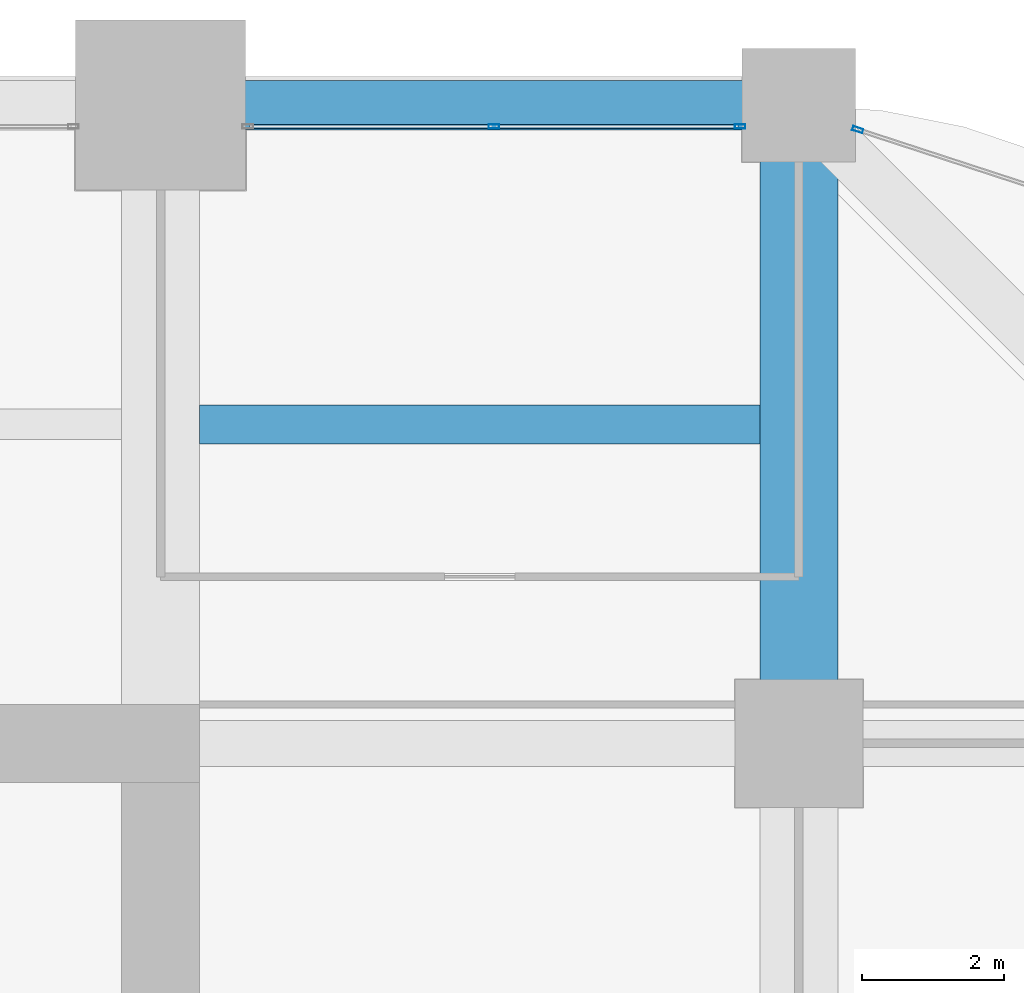
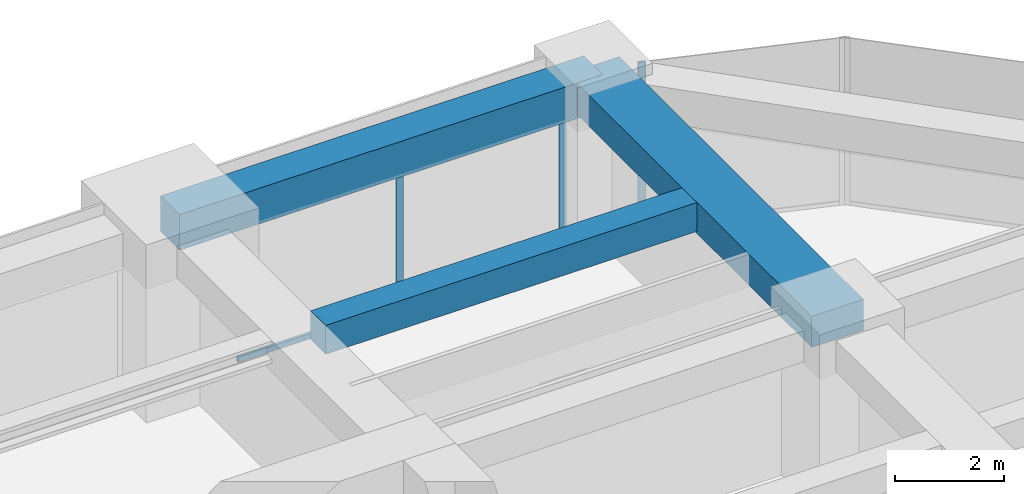
# One storey, part 33 of 40: 4 members, 3 beams, 2 elements without a shape of their own.
"""IFC4 building model written with IfcOpenShell, lengths in metres."""

import ifcopenshell
import ifcopenshell.guid

model = None  # the IFC model being written
_history = None  # IfcOwnerHistory: only IFC2X3 demands one
_inside = {}  # id of a spatial element -> (the spatial element, [elements in it])
_under = {}  # id of a project, library or spatial element -> (it, [spatial elements below it])
_declared = {}  # id of a project -> (the project, [libraries it declares])
_typed = {}  # id of a type object -> (the type object, [elements of that type])
_made_of = {}  # id of a material, layer set ... -> (it, [elements and type objects made of it])


def new_model(schema):
    """Start an empty IFC model of exactly this schema.

    Asked for "IFC4X3", IfcOpenShell would pick the latest addendum, in which some entities
    have other attributes; the version numbers below select the first issue.
    IFC2X3 requires an IfcOwnerHistory on every rooted entity: one is made here for all.
    """
    global model, _history
    if schema == "IFC4X3":
        model = ifcopenshell.file(schema_version=(4, 3, 0, 0))
    else:
        model = ifcopenshell.file(schema=schema)
    _inside.clear()
    _under.clear()
    _declared.clear()
    _typed.clear()
    _made_of.clear()
    _history = None
    if model.schema == "IFC2X3":
        org = make("IfcOrganization", Name="unknown")
        user = make(
            "IfcPersonAndOrganization",
            ThePerson=make("IfcPerson", FamilyName="unknown"),
            TheOrganization=org,
        )
        app = make(
            "IfcApplication",
            ApplicationDeveloper=org,
            Version="unknown",
            ApplicationFullName="unknown",
            ApplicationIdentifier="unknown",
        )
        _history = make(
            "IfcOwnerHistory",
            OwningUser=user,
            OwningApplication=app,
            ChangeAction="ADDED",
            CreationDate=0,
        )
    return model


def make(cls, **values):
    """One entity of the class cls with the attributes given. An attribute that is None is left unset."""
    return model.create_entity(
        cls, **{name: value for name, value in values.items() if value is not None}
    )


def rooted(cls, **values):
    """An entity with a GlobalId (a new one), such as an element, a storey or a relation."""
    return make(cls, GlobalId=ifcopenshell.guid.new(), OwnerHistory=_history, **values)


def si_unit(unit_type, name, prefix=None):
    """IfcSIUnit, for example si_unit("LENGTHUNIT", "METRE", prefix="MILLI")."""
    return make("IfcSIUnit", UnitType=unit_type, Prefix=prefix, Name=name)


def assignment(units):
    """IfcUnitAssignment: the units of a project."""
    return None if units is None else make("IfcUnitAssignment", Units=units)


def point(xyz):
    """IfcCartesianPoint."""
    return None if xyz is None else make("IfcCartesianPoint", Coordinates=xyz)


def direction(xyz):
    """IfcDirection."""
    return None if xyz is None else make("IfcDirection", DirectionRatios=xyz)


def frame(location, z_axis=None, x_axis=None):
    """IfcAxis2Placement3D, a coordinate frame: its origin and axes. An axis left out is left unset."""
    return make(
        "IfcAxis2Placement3D",
        Location=point(location),
        Axis=direction(z_axis),
        RefDirection=direction(x_axis),
    )


def frame_2d(location, x_axis=None):
    """IfcAxis2Placement2D, a coordinate frame in the plane: its origin and x axis."""
    return make(
        "IfcAxis2Placement2D", Location=point(location), RefDirection=direction(x_axis)
    )


def origin():
    """The frame at (0, 0, 0) with its axes left unset."""
    return frame((0.0, 0.0, 0.0))


def origin_2d():
    """The frame at (0, 0) in the plane with its x axis left unset."""
    return frame_2d((0.0, 0.0))


def place(relative_to, where):
    """IfcLocalPlacement: puts the frame where relative to a parent placement (None: the world)."""
    return make(
        "IfcLocalPlacement", PlacementRelTo=relative_to, RelativePlacement=where
    )


def context(
    kind, dimensions, precision=None, world=None, true_north=None, identifier=None
):
    """IfcGeometricRepresentationContext, for example the 3D "Model" context."""
    return make(
        "IfcGeometricRepresentationContext",
        ContextIdentifier=identifier,
        ContextType=kind,
        CoordinateSpaceDimension=dimensions,
        Precision=precision,
        WorldCoordinateSystem=world,
        TrueNorth=true_north,
    )


def subcontext(parent, identifier, kind, view, scale=None):
    """IfcGeometricRepresentationSubContext, for example "Body" below "Model"."""
    return make(
        "IfcGeometricRepresentationSubContext",
        ContextIdentifier=identifier,
        ContextType=kind,
        ParentContext=parent,
        TargetScale=scale,
        TargetView=view,
    )


def project(units=None, contexts=None):
    """IfcProject with its units and contexts."""
    return rooted(
        "IfcProject",
        Name="project",
        RepresentationContexts=contexts,
        UnitsInContext=assignment(units),
    )


def spatial(cls, under=None, at=None, **own):
    """A site, building, storey or space (cls), placed at a placement, below another one or the project."""
    s = rooted(cls, ObjectPlacement=at, **own)
    if under is not None:
        _under.setdefault(under.id(), (under, []))[1].append(s)
    return s


def profile(cls, at=None, kind="AREA", **sizes):
    """A parametric profile (cls). Its sizes go by their IFC names, for example OverallWidth=200.0."""
    return make(cls, ProfileType=kind, Position=at, **sizes)


def rectangle(**sizes):
    """IfcRectangleProfileDef."""
    return profile("IfcRectangleProfileDef", **sizes)


def hollow_rectangle(**sizes):
    """IfcRectangleHollowProfileDef."""
    return profile("IfcRectangleHollowProfileDef", **sizes)


def extrude(swept, where, along, depth):
    """IfcExtrudedAreaSolid: the profile swept, set in the frame where, extruded along a direction by depth."""
    return make(
        "IfcExtrudedAreaSolid",
        SweptArea=swept,
        Position=where,
        ExtrudedDirection=direction(along),
        Depth=depth,
    )


def shape(context_of_items, identifier, shape_type, items):
    """IfcShapeRepresentation: the items that make up one representation, for example the "Body"."""
    return make(
        "IfcShapeRepresentation",
        ContextOfItems=context_of_items,
        RepresentationIdentifier=identifier,
        RepresentationType=shape_type,
        Items=items,
    )


def material(Name=None, Category=None):
    """IfcMaterial."""
    return make("IfcMaterial", Name=Name, Category=Category)


def material_profile(
    of_material, cross_section, Name=None, Category=None, Priority=None
):
    """IfcMaterialProfile: a cross section and its material."""
    return make(
        "IfcMaterialProfile",
        Name=Name,
        Material=of_material,
        Profile=cross_section,
        Priority=Priority,
        Category=Category,
    )


def profile_set(profiles, Name=None, composite=None):
    """IfcMaterialProfileSet."""
    return make(
        "IfcMaterialProfileSet",
        Name=Name,
        MaterialProfiles=profiles,
        CompositeProfile=composite,
    )


def made_of(thing, what):
    """Note that an element or type object is made of a material, layer set ...; save() writes the relation."""
    if what is not None:
        _made_of.setdefault(what.id(), (what, []))[1].append(thing)
    return thing


def type_object(cls, material=None, **own):
    """A type object (cls), such as IfcWallType, which elements share."""
    return made_of(rooted(cls, **own), material)


def element(
    cls,
    number,
    at=None,
    inside=None,
    cuts=None,
    type_object=None,
    material=None,
    context=None,
    identifier="Body",
    shape_type=None,
    held_by="IfcProductDefinitionShape",
    body=None,
    shapes=None,
    **own,
):
    """One element of the class cls, such as IfcWall. Its Tag is "e" and its number.

    at: its placement. inside: the storey or other place that contains it. cuts: it is an
    opening in that element (IfcRelVoidsElement). A single representation is given by context,
    identifier, shape_type and body (its items); several are given by shapes. held_by: the class
    of the entity that holds the representations. save() writes the other relations.
    """
    e = rooted(cls, Tag="e%d" % number, ObjectPlacement=at, **own)
    if body is not None:
        shapes = [shape(context, identifier, shape_type, body)]
    if shapes is not None:
        e.Representation = make(held_by, Representations=shapes)
    if inside is not None:
        _inside.setdefault(inside.id(), (inside, []))[1].append(e)
    if cuts is not None:
        rooted(
            "IfcRelVoidsElement", RelatingBuildingElement=cuts, RelatedOpeningElement=e
        )
    if type_object is not None:
        _typed.setdefault(type_object.id(), (type_object, []))[1].append(e)
    return made_of(e, material)


def aggregate(whole, parts):
    """IfcRelAggregates: a whole, such as a stair, and the parts it consists of."""
    return rooted("IfcRelAggregates", RelatingObject=whole, RelatedObjects=parts)


def save(model, path):
    """Write the relations noted so far, then the file.

    IfcRelAggregates (storeys below a building ...), IfcRelContainedInSpatialStructure (elements
    in a storey), IfcRelDefinesByType, IfcRelAssociatesMaterial and IfcRelDeclares: one each for
    every whole, place, type object, material and project.
    """
    for whole, parts in _under.values():
        aggregate(whole, parts)
    for where, things in _inside.values():
        rooted(
            "IfcRelContainedInSpatialStructure",
            RelatedElements=things,
            RelatingStructure=where,
        )
    for kind, things in _typed.values():
        rooted("IfcRelDefinesByType", RelatedObjects=things, RelatingType=kind)
    for what, things in _made_of.values():
        rooted("IfcRelAssociatesMaterial", RelatedObjects=things, RelatingMaterial=what)
    for by, libraries in _declared.values():
        rooted("IfcRelDeclares", RelatingContext=by, RelatedDefinitions=libraries)
    model.write(path)


model = new_model("IFC4")

# Units and contexts
model_context = context("Model", 3, precision=1e-05, world=origin(), true_north=direction((0.0, 1.0)))
body_context = subcontext(model_context, "Body", "Model", "MODEL_VIEW")
ifc_project = project(units=[si_unit("LENGTHUNIT", "METRE"), si_unit("AREAUNIT", "SQUARE_METRE"), si_unit("VOLUMEUNIT", "CUBIC_METRE"), si_unit("PLANEANGLEUNIT", "RADIAN"), si_unit("MASSUNIT", "GRAM", prefix="KILO")], contexts=[model_context])

# Site, building, storey
site_placement = place(None, origin())
site = spatial("IfcSite", under=ifc_project, at=site_placement, CompositionType="ELEMENT")
building_placement = place(site_placement, origin())
building = spatial("IfcBuilding", under=site, at=building_placement, Name="Zorevar Civic Tower", CompositionType="ELEMENT")
storey_placement = place(building_placement, frame((0.0, 0.0, 129.0)))
storey = spatial("IfcBuildingStorey", under=building, at=storey_placement, Name="L31", CompositionType="ELEMENT", Elevation=129.0)

# Beams
ifc_material_1 = material(Name="Concrete C50/60", Category="concrete")
ifc_material_profile_1 = material_profile(ifc_material_1, rectangle(XDim=1.10009765625, YDim=0.699951171875, at=origin_2d()), Name="RC 1100x700")
ifc_profile_set_1 = profile_set([ifc_material_profile_1], Name="Concrete C50/60")
beam_type_1 = type_object("IfcBeamType", Name="Beam RC 1100x700", PredefinedType="BEAM", material=ifc_profile_set_1)
beam_1_placement = place(storey_placement, frame((54.0, 36.0, 3.39990234375), z_axis=(0.0, 1.0, 0.0), x_axis=(-1.0, 0.0, 0.0)))
element("IfcBeam", 1, at=beam_1_placement, inside=storey, type_object=beam_type_1, Name="Girder L32", PredefinedType="BEAM", context=body_context, shape_type="SweptSolid", body=[
    extrude(rectangle(XDim=1.10009765625, YDim=0.699951171875, at=origin_2d()), origin(), (0.0, 0.0, 1.0), 9.0),
])
ifc_material_2 = material(Name="Concrete C50/60", Category="concrete")
ifc_material_profile_2 = material_profile(ifc_material_2, rectangle(XDim=0.550048828125, YDim=0.64990234375, at=origin_2d()), Name="RC 550x650")
ifc_profile_set_2 = profile_set([ifc_material_profile_2], Name="Concrete C50/60")
beam_type_2 = type_object("IfcBeamType", Name="Beam RC 550x650", PredefinedType="BEAM", material=ifc_profile_set_2)
beam_2_placement = place(storey_placement, frame((45.550048828125, 40.5, 3.425048828125), z_axis=(1.0, 0.0, 0.0), x_axis=(0.0, 1.0, 0.0)))
element("IfcBeam", 2, at=beam_2_placement, inside=storey, type_object=beam_type_2, Name="Secondary beam L32", PredefinedType="BEAM", context=body_context, shape_type="SweptSolid", body=[
    extrude(rectangle(XDim=0.550048828125, YDim=0.64990234375, at=origin_2d()), origin(), (0.0, 0.0, 1.0), 7.89990234375),
])

# Curtain wall, members
ifc_material_3 = material(Name="Dark grey solar-control glass in black aluminium frame", Category="aluminium")
curtain_wall_type = type_object("IfcCurtainWallType", Name="Curtain wall CW3 mid zone", PredefinedType="NOTDEFINED", material=ifc_material_3)
curtain_wall_1_placement = place(storey_placement, origin())
curtain_wall_1 = element("IfcCurtainWall", 3, at=curtain_wall_1_placement, inside=storey, type_object=curtain_wall_type, Name="CW3 L31", PredefinedType="NOTDEFINED")
ifc_material_4 = material(Name="Aluminium, black anodised", Category="aluminium")
ifc_material_profile_3 = material_profile(ifc_material_4, hollow_rectangle(XDim=0.06005859375, YDim=0.14990234375, WallThickness=0.00390625, at=origin_2d()), Name="AL 150x60x4")
ifc_profile_set_3 = profile_set([ifc_material_profile_3], Name="Aluminium, black anodised")
member_type_1 = type_object("IfcMemberType", Name="CW3 mullion AL 150x60x4", PredefinedType="MULLION", material=ifc_profile_set_3)
member_1_placement = place(storey_placement, frame((49.699951171875, 44.699951171875, 0.06005859375), z_axis=(0.0, 0.0, 1.0), x_axis=(0.0, 1.0, 0.0)))
member_1 = element("IfcMember", 4, at=member_1_placement, type_object=member_type_1, Name="CW3 mullion 2", PredefinedType="MULLION", context=body_context, shape_type="SweptSolid", body=[
    extrude(hollow_rectangle(XDim=0.06005859375, YDim=0.14990234375, WallThickness=0.00390625, at=origin_2d()), origin(), (0.0, 0.0, 1.0), 2.889892578125),
])
member_2_placement = place(storey_placement, frame((53.169921875, 44.699951171875, 0.0), z_axis=(0.0, 0.0, 1.0), x_axis=(0.0, 1.0, 0.0)))
member_2 = element("IfcMember", 5, at=member_2_placement, type_object=member_type_1, Name="CW3 mullion 3", PredefinedType="MULLION", context=body_context, shape_type="SweptSolid", body=[
    extrude(hollow_rectangle(XDim=0.06005859375, YDim=0.14990234375, WallThickness=0.00390625, at=origin_2d()), origin(), (0.0, 0.0, 1.0), 2.949951171875),
])

# Curtain wall, member
curtain_wall_2_placement = place(storey_placement, origin())
curtain_wall_2 = element("IfcCurtainWall", 6, at=curtain_wall_2_placement, inside=storey, type_object=curtain_wall_type, Name="CW3 L31", PredefinedType="NOTDEFINED")
member_3_placement = place(storey_placement, frame((54.82861328125, 44.65380859375, 0.0), z_axis=(0.0, 0.0, 1.0), x_axis=(-0.310263169163, -0.950650706548, 0.0)))
member_3 = element("IfcMember", 7, at=member_3_placement, type_object=member_type_1, Name="CW3 mullion 2", PredefinedType="MULLION", context=body_context, shape_type="SweptSolid", body=[
    extrude(hollow_rectangle(XDim=0.06005859375, YDim=0.14990234375, WallThickness=0.00390625, at=origin_2d()), origin(), (0.0, 0.0, 1.0), 3.75),
])
aggregate(curtain_wall_2, [member_3])

# Member
ifc_material_5 = material(Name="Aluminium, black anodised", Category="aluminium")
ifc_material_profile_4 = material_profile(ifc_material_5, hollow_rectangle(XDim=0.06005859375, YDim=0.1201171875, WallThickness=0.0029296875, at=origin_2d()), Name="AL 120x60x3")
ifc_profile_set_4 = profile_set([ifc_material_profile_4], Name="Aluminium, black anodised")
member_type_2 = type_object("IfcMemberType", Name="CW3 transom AL 120x60x3", PredefinedType="USERDEFINED", material=ifc_profile_set_4)
member_4_placement = place(storey_placement, frame((46.260009765625, 44.699951171875, 0.030029296875), z_axis=(1.0, 0.0, 0.0), x_axis=(0.0, 1.0, 0.0)))
member_4 = element("IfcMember", 8, at=member_4_placement, type_object=member_type_2, Name="CW3 sill transom", ObjectType="TRANSOM", PredefinedType="USERDEFINED", context=body_context, shape_type="SweptSolid", body=[
    extrude(hollow_rectangle(XDim=0.06005859375, YDim=0.1201171875, WallThickness=0.0029296875, at=origin_2d()), origin(), (0.0, 0.0, 1.0), 6.8798828125),
])

aggregate(curtain_wall_1, [member_1, member_2, member_4])

# Beam
ifc_material_6 = material(Name="Concrete C50/60", Category="concrete")
ifc_material_profile_5 = material_profile(ifc_material_6, rectangle(XDim=0.699951171875, YDim=0.800048828125, at=origin_2d()), Name="RC 700x800")
ifc_profile_set_5 = profile_set([ifc_material_profile_5], Name="Concrete C50/60")
beam_type_3 = type_object("IfcBeamType", Name="Edge beam RC 700x800", PredefinedType="SPANDREL", material=ifc_profile_set_5)
beam_3_placement = place(storey_placement, frame((45.0, 45.0, 3.35009765625), z_axis=(1.0, 0.0, 0.0), x_axis=(0.0, 1.0, 0.0)))
element("IfcBeam", 9, at=beam_3_placement, inside=storey, type_object=beam_type_3, Name="Edge beam L32", PredefinedType="SPANDREL", context=body_context, shape_type="SweptSolid", body=[
    extrude(rectangle(XDim=0.699951171875, YDim=0.800048828125, at=origin_2d()), origin(), (0.0, 0.0, 1.0), 9.0),
])

save(model, "model.ifc")
